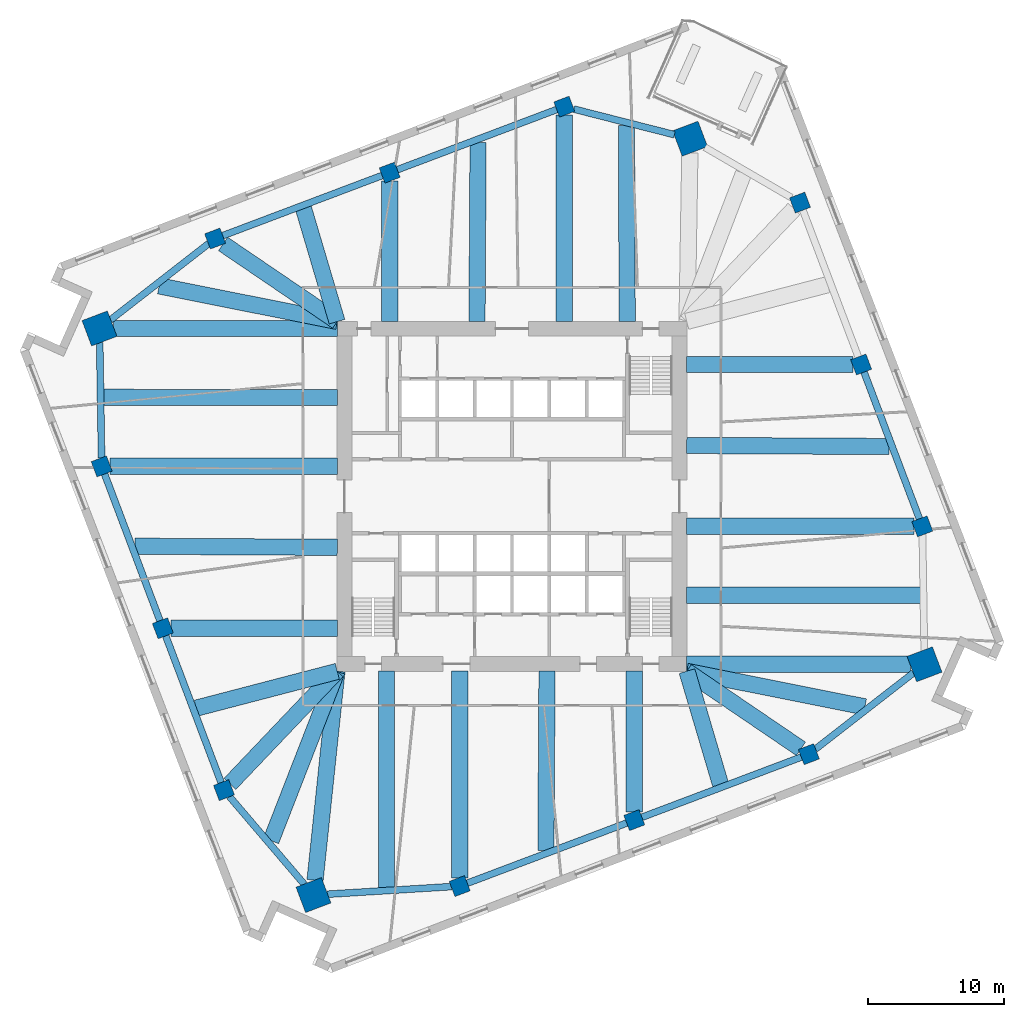
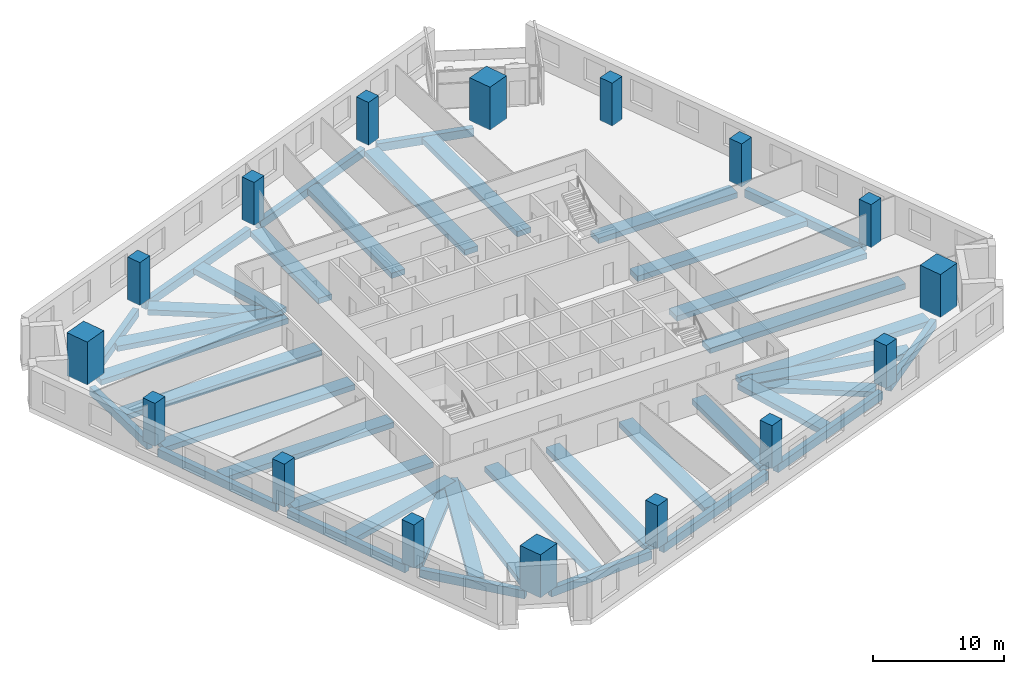
# One storey, part 1 of 14: 41 beams, 16 columns.
"""IFC4 building model written with IfcOpenShell, lengths in metres."""

from ifc_helpers import new_model, si_unit, direction, frame, origin, origin_2d, place, context, subcontext, project, spatial, rectangle, extrude, material, material_profile, profile_set, type_object, element, save


model = new_model("IFC4")

# Units and contexts
model_context = context("Model", 3, precision=1e-05, world=origin(), true_north=direction((0.0, 1.0)))
body_context = subcontext(model_context, "Body", "Model", "MODEL_VIEW")
ifc_project = project(units=[si_unit("LENGTHUNIT", "METRE"), si_unit("AREAUNIT", "SQUARE_METRE"), si_unit("VOLUMEUNIT", "CUBIC_METRE"), si_unit("PLANEANGLEUNIT", "RADIAN"), si_unit("MASSUNIT", "GRAM", prefix="KILO")], contexts=[model_context])

# Site, building, storey
site_placement = place(None, origin())
site = spatial("IfcSite", under=ifc_project, at=site_placement, CompositionType="ELEMENT")
building_placement = place(site_placement, origin())
building = spatial("IfcBuilding", under=site, at=building_placement, Name="Dilmun Exchange Tower", CompositionType="ELEMENT")
storey_placement = place(building_placement, frame((0.0, 0.0, 106.10009765625)))
storey = spatial("IfcBuildingStorey", under=building, at=storey_placement, Name="L24", CompositionType="ELEMENT", Elevation=106.10009765625)

# Columns
ifc_material_1 = material(Name="Concrete C70/85", Category="concrete")
ifc_material_profile_1 = material_profile(ifc_material_1, rectangle(XDim=2.0, YDim=2.0, at=origin_2d()), Name="2000 x 2000")
ifc_profile_set_1 = profile_set([ifc_material_profile_1], Name="Concrete C70/85")
column_type_1 = type_object("IfcColumnType", Name="RC mega column 2000 x 2000 C70/85", PredefinedType="COLUMN", material=ifc_profile_set_1)
for number, where, z_axis, x_axis, name in (
    (1, (13.1220703125, 26.35400390625, 0.0), (0.0, 0.0, 1.0), (0.935491525991, 0.353349125935, 0.0), "Mega column M1"),
    (2, (-30.39404296875, 12.37109375, 0.0), (0.0, 0.0, 1.0), (0.935491525991, 0.353349125935, 0.0), "Mega column M2"),
    (3, (-14.6259765625, -29.3759765625, 0.0), (0.0, 0.0, 1.0), (0.935491525991, 0.353349125935, 0.0), "Mega column M3"),
    (4, (30.39404296875, -12.37109375, 0.0), (0.0, 0.0, 1.0), (0.935491525991, 0.353349125935, 0.0), "Mega column M4"),
):
    element("IfcColumn", number, at=place(storey_placement, frame(where, z_axis=z_axis, x_axis=x_axis)), inside=storey, type_object=column_type_1, Name=name, PredefinedType="COLUMN", context=body_context, shape_type="SweptSolid", body=[
        extrude(rectangle(XDim=2.0, YDim=2.0, at=origin_2d()), origin(), (0.0, 0.0, 1.0), 4.0),
    ])
ifc_material_profile_2 = material_profile(ifc_material_1, rectangle(XDim=1.199951171875, YDim=1.199951171875, at=origin_2d()), Name="1200 x 1200")
ifc_profile_set_2 = profile_set([ifc_material_profile_2], Name="Concrete C70/85")
column_type_2 = type_object("IfcColumnType", Name="RC ring column 1200 x 1200 C70/85", PredefinedType="COLUMN", material=ifc_profile_set_2)
for number, where, z_axis, x_axis, name in (
    (5, (3.85302734375, 28.714111328125, 0.0), (0.0, 0.0, 1.0), (0.935491525991, 0.353349125935, 0.0), "Ring column R01"),
    (6, (-9.010009765625, 23.85498046875, 0.0), (0.0, 0.0, 1.0), (0.935491525991, 0.353349125935, 0.0), "Ring column R02"),
    (7, (-21.873046875, 18.99609375, 0.0), (0.0, 0.0, 1.0), (0.935491525991, 0.353349125935, 0.0), "Ring column R03"),
    (8, (-30.23095703125, 2.2099609375, 0.0), (0.0, 0.0, 1.0), (0.935491525991, 0.353349125935, 0.0), "Ring column R04"),
    (9, (-25.72607421875, -9.717041015625, 0.0), (0.0, 0.0, 1.0), (0.935491525991, 0.353349125935, 0.0), "Ring column R05"),
    (10, (-21.220947265625, -21.64501953125, 0.0), (0.0, 0.0, 1.0), (0.935491525991, 0.353349125935, 0.0), "Ring column R06"),
    (11, (-3.85302734375, -28.714111328125, 0.0), (0.0, 0.0, 1.0), (0.935491525991, 0.353349125935, 0.0), "Ring column R07"),
    (12, (9.010009765625, -23.85498046875, 0.0), (0.0, 0.0, 1.0), (0.935491525991, 0.353349125935, 0.0), "Ring column R08"),
    (13, (21.873046875, -18.99609375, 0.0), (0.0, 0.0, 1.0), (0.935491525991, 0.353349125935, 0.0), "Ring column R09"),
    (14, (30.23095703125, -2.2099609375, 0.0), (0.0, 0.0, 1.0), (0.935491525991, 0.353349125935, 0.0), "Ring column R10"),
    (15, (25.72607421875, 9.717041015625, 0.0), (0.0, 0.0, 1.0), (0.935491525991, 0.353349125935, 0.0), "Ring column R11"),
    (16, (21.220947265625, 21.64501953125, 0.0), (0.0, 0.0, 1.0), (0.935491525991, 0.353349125935, 0.0), "Ring column R12"),
):
    element("IfcColumn", number, at=place(storey_placement, frame(where, z_axis=z_axis, x_axis=x_axis)), inside=storey, type_object=column_type_2, Name=name, PredefinedType="COLUMN", context=body_context, shape_type="SweptSolid", body=[
        extrude(rectangle(XDim=1.199951171875, YDim=1.199951171875, at=origin_2d()), origin(), (0.0, 0.0, 1.0), 4.0),
    ])

# Beams
ifc_material_2 = material(Name="Concrete C40/50", Category="concrete")
ifc_material_profile_3 = material_profile(ifc_material_2, rectangle(XDim=1.199951171875, YDim=0.5, at=origin_2d()), Name="1200 x 500")
ifc_profile_set_3 = profile_set([ifc_material_profile_3], Name="Concrete C40/50")
beam_type_1 = type_object("IfcBeamType", Name="RC band beam 1200 x 500 C40/50", PredefinedType="BEAM", material=ifc_profile_set_3)
beam_1_placement = place(storey_placement, frame((3.85302734375, 28.099609375, -0.77001953125), z_axis=(0.0, -1.0, 0.0), x_axis=(1.0, 0.0, 0.0)))
element("IfcBeam", 17, at=beam_1_placement, inside=storey, type_object=beam_type_1, Name="Band beam 2", PredefinedType="BEAM", context=body_context, shape_type="SweptSolid", body=[
    extrude(rectangle(XDim=1.199951171875, YDim=0.5, at=origin_2d()), origin(), (0.0, 0.0, 1.0), 15.2265625),
])
beam_2_placement = place(storey_placement, frame((-9.010009765625, 23.240478515625, -0.77001953125), z_axis=(0.0, -1.0, 0.0), x_axis=(1.0, 0.0, 0.0)))
element("IfcBeam", 18, at=beam_2_placement, inside=storey, type_object=beam_type_1, Name="Band beam 3", PredefinedType="BEAM", context=body_context, shape_type="SweptSolid", body=[
    extrude(rectangle(XDim=1.199951171875, YDim=0.5, at=origin_2d()), origin(), (0.0, 0.0, 1.0), 10.367431640625),
])
beam_3_placement = place(storey_placement, frame((-21.28857421875, 18.59912109375, -0.77001953125), z_axis=(0.827157308771, -0.561970449888, 0.0), x_axis=(0.561970449888, 0.827157308771, 0.0)))
element("IfcBeam", 19, at=beam_3_placement, inside=storey, type_object=beam_type_1, Name="Band beam 4", PredefinedType="BEAM", context=body_context, shape_type="SweptSolid", body=[
    extrude(rectangle(XDim=1.199951171875, YDim=0.5, at=origin_2d()), origin(), (0.0, 0.0, 1.0), 10.16845703125),
])
beam_4_placement = place(storey_placement, frame((-29.35205078125, 12.37109375, -0.77001953125), z_axis=(1.0, 0.0, 0.0), x_axis=(0.0, 1.0, 0.0)))
element("IfcBeam", 20, at=beam_4_placement, inside=storey, type_object=beam_type_1, Name="Band beam 5", PredefinedType="BEAM", context=body_context, shape_type="SweptSolid", body=[
    extrude(rectangle(XDim=1.199951171875, YDim=0.5, at=origin_2d()), origin(), (0.0, 0.0, 1.0), 16.47900390625),
])
beam_5_placement = place(storey_placement, frame((-29.61669921875, 2.2099609375, -0.77001953125), z_axis=(1.0, 0.0, 0.0), x_axis=(0.0, 1.0, 0.0)))
element("IfcBeam", 21, at=beam_5_placement, inside=storey, type_object=beam_type_1, Name="Band beam 6", PredefinedType="BEAM", context=body_context, shape_type="SweptSolid", body=[
    extrude(rectangle(XDim=1.199951171875, YDim=0.5, at=origin_2d()), origin(), (0.0, 0.0, 1.0), 16.74365234375),
])
beam_6_placement = place(storey_placement, frame((-25.111572265625, -9.717041015625, -0.77001953125), z_axis=(1.0, 0.0, 0.0), x_axis=(0.0, 1.0, 0.0)))
element("IfcBeam", 22, at=beam_6_placement, inside=storey, type_object=beam_type_1, Name="Band beam 7", PredefinedType="BEAM", context=body_context, shape_type="SweptSolid", body=[
    extrude(rectangle(XDim=1.199951171875, YDim=0.5, at=origin_2d()), origin(), (0.0, 0.0, 1.0), 12.238525390625),
])
beam_7_placement = place(storey_placement, frame((-20.780517578125, -21.181884765625, -0.77001953125), z_axis=(0.689333244672, 0.724444392476, 0.0), x_axis=(-0.724444392476, 0.689333244672, 0.0)))
element("IfcBeam", 23, at=beam_7_placement, inside=storey, type_object=beam_type_1, Name="Band beam 8", PredefinedType="BEAM", context=body_context, shape_type="SweptSolid", body=[
    extrude(rectangle(XDim=1.199951171875, YDim=0.5, at=origin_2d()), origin(), (0.0, 0.0, 1.0), 11.459228515625),
])
beam_8_placement = place(storey_placement, frame((-14.51220703125, -28.289794921875, -0.77001953125), z_axis=(0.104185478447, 0.994557884731, 0.0), x_axis=(-0.994557884731, 0.104185478447, 0.0)))
element("IfcBeam", 24, at=beam_8_placement, inside=storey, type_object=beam_type_1, Name="Band beam 9", PredefinedType="BEAM", context=body_context, shape_type="SweptSolid", body=[
    extrude(rectangle(XDim=1.199951171875, YDim=0.5, at=origin_2d()), origin(), (0.0, 0.0, 1.0), 15.501220703125),
])
beam_9_placement = place(storey_placement, frame((-3.85302734375, -28.099609375, -0.77001953125), z_axis=(0.0, 1.0, 0.0), x_axis=(-1.0, 0.0, 0.0)))
element("IfcBeam", 25, at=beam_9_placement, inside=storey, type_object=beam_type_1, Name="Band beam 10", PredefinedType="BEAM", context=body_context, shape_type="SweptSolid", body=[
    extrude(rectangle(XDim=1.199951171875, YDim=0.5, at=origin_2d()), origin(), (0.0, 0.0, 1.0), 15.2265625),
])
beam_10_placement = place(storey_placement, frame((9.010009765625, -23.240478515625, -0.77001953125), z_axis=(0.0, 1.0, 0.0), x_axis=(-1.0, 0.0, 0.0)))
element("IfcBeam", 26, at=beam_10_placement, inside=storey, type_object=beam_type_1, Name="Band beam 11", PredefinedType="BEAM", context=body_context, shape_type="SweptSolid", body=[
    extrude(rectangle(XDim=1.199951171875, YDim=0.5, at=origin_2d()), origin(), (0.0, 0.0, 1.0), 10.367431640625),
])
beam_11_placement = place(storey_placement, frame((21.28857421875, -18.59912109375, -0.77001953125), z_axis=(-0.827157308771, 0.561970449888, 0.0), x_axis=(-0.561970449888, -0.827157308771, 0.0)))
element("IfcBeam", 27, at=beam_11_placement, inside=storey, type_object=beam_type_1, Name="Band beam 12", PredefinedType="BEAM", context=body_context, shape_type="SweptSolid", body=[
    extrude(rectangle(XDim=1.199951171875, YDim=0.5, at=origin_2d()), origin(), (0.0, 0.0, 1.0), 10.16845703125),
])
beam_12_placement = place(storey_placement, frame((29.35205078125, -12.37109375, -0.77001953125), z_axis=(-1.0, 0.0, 0.0), x_axis=(0.0, -1.0, 0.0)))
element("IfcBeam", 28, at=beam_12_placement, inside=storey, type_object=beam_type_1, Name="Band beam 13", PredefinedType="BEAM", context=body_context, shape_type="SweptSolid", body=[
    extrude(rectangle(XDim=1.199951171875, YDim=0.5, at=origin_2d()), origin(), (0.0, 0.0, 1.0), 16.47900390625),
])
beam_13_placement = place(storey_placement, frame((29.61669921875, -2.2099609375, -0.77001953125), z_axis=(-1.0, 0.0, 0.0), x_axis=(0.0, -1.0, 0.0)))
element("IfcBeam", 29, at=beam_13_placement, inside=storey, type_object=beam_type_1, Name="Band beam 14", PredefinedType="BEAM", context=body_context, shape_type="SweptSolid", body=[
    extrude(rectangle(XDim=1.199951171875, YDim=0.5, at=origin_2d()), origin(), (0.0, 0.0, 1.0), 16.74365234375),
])
beam_14_placement = place(storey_placement, frame((25.111572265625, 9.717041015625, -0.77001953125), z_axis=(-1.0, 0.0, 0.0), x_axis=(0.0, -1.0, 0.0)))
element("IfcBeam", 30, at=beam_14_placement, inside=storey, type_object=beam_type_1, Name="Band beam 15", PredefinedType="BEAM", context=body_context, shape_type="SweptSolid", body=[
    extrude(rectangle(XDim=1.199951171875, YDim=0.5, at=origin_2d()), origin(), (0.0, 0.0, 1.0), 12.238525390625),
])
beam_15_placement = place(storey_placement, frame((8.4326171875, 27.31787109375, -0.670166015625), z_axis=(0.003802832253, -0.999992769207, 0.0), x_axis=(0.999992769207, 0.003802832253, 0.0)))
element("IfcBeam", 31, at=beam_15_placement, inside=storey, type_object=beam_type_1, Name="Band beam 17", PredefinedType="BEAM", context=body_context, shape_type="SweptSolid", body=[
    extrude(rectangle(XDim=1.199951171875, YDim=0.5, at=origin_2d()), origin(), (0.0, 0.0, 1.0), 14.44482421875),
])
beam_16_placement = place(storey_placement, frame((-2.499755859375, 26.075927734375, -0.670166015625), z_axis=(-0.005972637047, -0.999982163644, 0.0), x_axis=(0.999982163644, -0.005972637047, 0.0)))
element("IfcBeam", 32, at=beam_16_placement, inside=storey, type_object=beam_type_1, Name="Band beam 18", PredefinedType="BEAM", context=body_context, shape_type="SweptSolid", body=[
    extrude(rectangle(XDim=1.199951171875, YDim=0.5, at=origin_2d()), origin(), (0.0, 0.0, 1.0), 13.203125),
])
beam_17_placement = place(storey_placement, frame((-15.36279296875, 21.216796875, -0.670166015625), z_axis=(0.283932601838, -0.958844240538, 0.0), x_axis=(0.958844240538, 0.283932601838, 0.0)))
element("IfcBeam", 33, at=beam_17_placement, inside=storey, type_object=beam_type_1, Name="Band beam 19", PredefinedType="BEAM", context=body_context, shape_type="SweptSolid", body=[
    extrude(rectangle(XDim=1.199951171875, YDim=0.5, at=origin_2d()), origin(), (0.0, 0.0, 1.0), 8.700927734375),
])
beam_18_placement = place(storey_placement, frame((-25.99658203125, 15.50732421875, -0.670166015625), z_axis=(0.980746640289, -0.19528447855, 0.0), x_axis=(0.19528447855, 0.980746640289, 0.0)))
element("IfcBeam", 34, at=beam_18_placement, inside=storey, type_object=beam_type_1, Name="Band beam 20", PredefinedType="BEAM", context=body_context, shape_type="SweptSolid", body=[
    extrude(rectangle(XDim=1.199951171875, YDim=0.5, at=origin_2d()), origin(), (0.0, 0.0, 1.0), 13.380615234375),
])
beam_19_placement = place(storey_placement, frame((-30.089599609375, 7.294189453125, -0.670166015625), z_axis=(0.999999977378, -0.000212708627, 0.0), x_axis=(0.000212708627, 0.999999977378, 0.0)))
element("IfcBeam", 35, at=beam_19_placement, inside=storey, type_object=beam_type_1, Name="Band beam 21", PredefinedType="BEAM", context=body_context, shape_type="SweptSolid", body=[
    extrude(rectangle(XDim=1.199951171875, YDim=0.5, at=origin_2d()), origin(), (0.0, 0.0, 1.0), 17.216552734375),
])
beam_20_placement = place(storey_placement, frame((-27.77001953125, -3.6748046875, -0.670166015625), z_axis=(0.999986076233, -0.005277057861, 0.0), x_axis=(0.005277057861, 0.999986076233, 0.0)))
element("IfcBeam", 36, at=beam_20_placement, inside=storey, type_object=beam_type_1, Name="Band beam 22", PredefinedType="BEAM", context=body_context, shape_type="SweptSolid", body=[
    extrude(rectangle(XDim=1.199951171875, YDim=0.5, at=origin_2d()), origin(), (0.0, 0.0, 1.0), 14.897216796875),
])
beam_21_placement = place(storey_placement, frame((-23.264892578125, -15.602294921875, -0.670166015625), z_axis=(0.967651305888, 0.252291399404, 0.0), x_axis=(-0.252291399404, 0.967651305888, 0.0)))
element("IfcBeam", 37, at=beam_21_placement, inside=storey, type_object=beam_type_1, Name="Band beam 23", PredefinedType="BEAM", context=body_context, shape_type="SweptSolid", body=[
    extrude(rectangle(XDim=1.199951171875, YDim=0.5, at=origin_2d()), origin(), (0.0, 0.0, 1.0), 10.738525390625),
])
beam_22_placement = place(storey_placement, frame((-17.75390625, -25.36572265625, -0.670166015625), z_axis=(0.362868113779, 0.931840507814, 0.0), x_axis=(-0.931840507814, 0.362868113779, 0.0)))
element("IfcBeam", 38, at=beam_22_placement, inside=storey, type_object=beam_type_1, Name="Band beam 24", PredefinedType="BEAM", context=body_context, shape_type="SweptSolid", body=[
    extrude(rectangle(XDim=1.199951171875, YDim=0.5, at=origin_2d()), origin(), (0.0, 0.0, 1.0), 13.404296875),
])
beam_23_placement = place(storey_placement, frame((-9.253173828125, -28.822509765625, -0.670166015625), z_axis=(0.000857199397, 0.999999632605, 0.0), x_axis=(-0.999999632605, 0.000857199397, 0.0)))
element("IfcBeam", 39, at=beam_23_placement, inside=storey, type_object=beam_type_1, Name="Band beam 25", PredefinedType="BEAM", context=body_context, shape_type="SweptSolid", body=[
    extrude(rectangle(XDim=1.199951171875, YDim=0.5, at=origin_2d()), origin(), (0.0, 0.0, 1.0), 15.949462890625),
])
beam_24_placement = place(storey_placement, frame((2.499755859375, -26.075927734375, -0.670166015625), z_axis=(0.005972637047, 0.999982163644, 0.0), x_axis=(-0.999982163644, 0.005972637047, 0.0)))
element("IfcBeam", 40, at=beam_24_placement, inside=storey, type_object=beam_type_1, Name="Band beam 26", PredefinedType="BEAM", context=body_context, shape_type="SweptSolid", body=[
    extrude(rectangle(XDim=1.199951171875, YDim=0.5, at=origin_2d()), origin(), (0.0, 0.0, 1.0), 13.203125),
])
beam_25_placement = place(storey_placement, frame((15.36279296875, -21.216796875, -0.670166015625), z_axis=(-0.283932601838, 0.958844240538, 0.0), x_axis=(-0.958844240538, -0.283932601838, 0.0)))
element("IfcBeam", 41, at=beam_25_placement, inside=storey, type_object=beam_type_1, Name="Band beam 27", PredefinedType="BEAM", context=body_context, shape_type="SweptSolid", body=[
    extrude(rectangle(XDim=1.199951171875, YDim=0.5, at=origin_2d()), origin(), (0.0, 0.0, 1.0), 8.700927734375),
])
beam_26_placement = place(storey_placement, frame((25.99658203125, -15.50732421875, -0.670166015625), z_axis=(-0.980746640289, 0.19528447855, 0.0), x_axis=(-0.19528447855, -0.980746640289, 0.0)))
element("IfcBeam", 42, at=beam_26_placement, inside=storey, type_object=beam_type_1, Name="Band beam 28", PredefinedType="BEAM", context=body_context, shape_type="SweptSolid", body=[
    extrude(rectangle(XDim=1.199951171875, YDim=0.5, at=origin_2d()), origin(), (0.0, 0.0, 1.0), 13.380615234375),
])
beam_27_placement = place(storey_placement, frame((30.089599609375, -7.294189453125, -0.670166015625), z_axis=(-0.999999977378, 0.000212708627, 0.0), x_axis=(-0.000212708627, -0.999999977378, 0.0)))
element("IfcBeam", 43, at=beam_27_placement, inside=storey, type_object=beam_type_1, Name="Band beam 29", PredefinedType="BEAM", context=body_context, shape_type="SweptSolid", body=[
    extrude(rectangle(XDim=1.199951171875, YDim=0.5, at=origin_2d()), origin(), (0.0, 0.0, 1.0), 17.216552734375),
])
beam_28_placement = place(storey_placement, frame((27.77001953125, 3.6748046875, -0.670166015625), z_axis=(-0.999986076233, 0.005277057861, 0.0), x_axis=(-0.005277057861, -0.999986076233, 0.0)))
element("IfcBeam", 44, at=beam_28_placement, inside=storey, type_object=beam_type_1, Name="Band beam 30", PredefinedType="BEAM", context=body_context, shape_type="SweptSolid", body=[
    extrude(rectangle(XDim=1.199951171875, YDim=0.5, at=origin_2d()), origin(), (0.0, 0.0, 1.0), 14.897216796875),
])
ifc_material_profile_4 = material_profile(ifc_material_2, rectangle(XDim=0.5, YDim=0.75, at=origin_2d()), Name="500 x 750")
ifc_profile_set_4 = profile_set([ifc_material_profile_4], Name="Concrete C40/50")
beam_type_2 = type_object("IfcBeamType", Name="RC ring beam 500 x 750 C40/50", PredefinedType="SPANDREL", material=ifc_profile_set_4)
beam_29_placement = place(storey_placement, frame((11.965576171875, 26.6484375, -0.795166015625), z_axis=(-0.969078622485, 0.246752149825, 0.0), x_axis=(-0.246752149825, -0.969078622485, 0.0)))
element("IfcBeam", 45, at=beam_29_placement, inside=storey, type_object=beam_type_2, Name="Ring beam 1", PredefinedType="SPANDREL", context=body_context, shape_type="SweptSolid", body=[
    extrude(rectangle(XDim=0.5, YDim=0.75, at=origin_2d()), origin(), (0.0, 0.0, 1.0), 7.666015625),
])
for number, where, z_axis, x_axis, name in (
    (46, (3.31689453125, 28.511474609375, -0.795166015625), (-0.935485896268, -0.353364030264, 0.0), (0.353364030264, -0.935485896268, 0.0), "Ring beam 2"),
    (47, (-9.5458984375, 23.652587890625, -0.795166015625), (-0.935479493126, -0.353380981294, 0.0), (0.353380981294, -0.935479493126, 0.0), "Ring beam 3"),
):
    element("IfcBeam", number, at=place(storey_placement, frame(where, z_axis=z_axis, x_axis=x_axis)), inside=storey, type_object=beam_type_2, Name=name, PredefinedType="SPANDREL", context=body_context, shape_type="SweptSolid", body=[
        extrude(rectangle(XDim=0.5, YDim=0.75, at=origin_2d()), origin(), (0.0, 0.0, 1.0), 12.604248046875),
    ])
beam_30_placement = place(storey_placement, frame((-22.347412109375, 18.627197265625, -0.795166015625), z_axis=(-0.789461122688, -0.613800566767, 0.0), x_axis=(0.613800566767, -0.789461122688, 0.0)))
element("IfcBeam", 48, at=beam_30_placement, inside=storey, type_object=beam_type_2, Name="Ring beam 4", PredefinedType="SPANDREL", context=body_context, shape_type="SweptSolid", body=[
    extrude(rectangle(XDim=0.5, YDim=0.75, at=origin_2d()), origin(), (0.0, 0.0, 1.0), 9.1728515625),
])
beam_31_placement = place(storey_placement, frame((-30.37744140625, 11.33544921875, -0.795166015625), z_axis=(0.016054357527, -0.999871120497, 0.0), x_axis=(0.999871120497, 0.016054357527, 0.0)))
element("IfcBeam", 49, at=beam_31_placement, inside=storey, type_object=beam_type_2, Name="Ring beam 5", PredefinedType="SPANDREL", context=body_context, shape_type="SweptSolid", body=[
    extrude(rectangle(XDim=0.5, YDim=0.75, at=origin_2d()), origin(), (0.0, 0.0, 1.0), 8.515869140625),
])
beam_32_placement = place(storey_placement, frame((-30.028564453125, 1.674072265625, -0.795166015625), z_axis=(0.353349831573, -0.935491259461, 0.0), x_axis=(0.935491259461, 0.353349831573, 0.0)))
element("IfcBeam", 50, at=beam_32_placement, inside=storey, type_object=beam_type_2, Name="Ring beam 6", PredefinedType="SPANDREL", context=body_context, shape_type="SweptSolid", body=[
    extrude(rectangle(XDim=0.5, YDim=0.75, at=origin_2d()), origin(), (0.0, 0.0, 1.0), 11.603515625),
])
beam_33_placement = place(storey_placement, frame((-25.5234375, -10.2529296875, -0.795166015625), z_axis=(0.353303601311, -0.935508720056, 0.0), x_axis=(0.935508720056, 0.353303601311, 0.0)))
element("IfcBeam", 51, at=beam_33_placement, inside=storey, type_object=beam_type_2, Name="Ring beam 7", PredefinedType="SPANDREL", context=body_context, shape_type="SweptSolid", body=[
    extrude(rectangle(XDim=0.5, YDim=0.75, at=origin_2d()), origin(), (0.0, 0.0, 1.0), 11.604248046875),
])
beam_34_placement = place(storey_placement, frame((-20.82470703125, -22.109619140625, -0.795166015625), z_axis=(0.64900225023, -0.76078648726, 0.0), x_axis=(0.76078648726, 0.64900225023, 0.0)))
element("IfcBeam", 52, at=beam_34_placement, inside=storey, type_object=beam_type_2, Name="Ring beam 8", PredefinedType="SPANDREL", context=body_context, shape_type="SweptSolid", body=[
    extrude(rectangle(XDim=0.5, YDim=0.75, at=origin_2d()), origin(), (0.0, 0.0, 1.0), 8.515625),
])
beam_35_placement = place(storey_placement, frame((-13.608154296875, -29.3134765625, -0.795166015625), z_axis=(0.998117890072, 0.061324363166, 0.0), x_axis=(-0.061324363166, 0.998117890072, 0.0)))
element("IfcBeam", 53, at=beam_35_placement, inside=storey, type_object=beam_type_2, Name="Ring beam 9", PredefinedType="SPANDREL", context=body_context, shape_type="SweptSolid", body=[
    extrude(rectangle(XDim=0.5, YDim=0.75, at=origin_2d()), origin(), (0.0, 0.0, 1.0), 9.172607421875),
])
for number, where, z_axis, x_axis, name in (
    (54, (-3.31689453125, -28.511474609375, -0.795166015625), (0.935485896268, 0.353364030264, 0.0), (-0.353364030264, 0.935485896268, 0.0), "Ring beam 10"),
    (55, (9.5458984375, -23.652587890625, -0.795166015625), (0.935479493126, 0.353380981294, 0.0), (-0.353380981294, 0.935479493126, 0.0), "Ring beam 11"),
):
    element("IfcBeam", number, at=place(storey_placement, frame(where, z_axis=z_axis, x_axis=x_axis)), inside=storey, type_object=beam_type_2, Name=name, PredefinedType="SPANDREL", context=body_context, shape_type="SweptSolid", body=[
        extrude(rectangle(XDim=0.5, YDim=0.75, at=origin_2d()), origin(), (0.0, 0.0, 1.0), 12.604248046875),
    ])
beam_36_placement = place(storey_placement, frame((22.347412109375, -18.627197265625, -0.795166015625), z_axis=(0.789461122688, 0.613800566767, 0.0), x_axis=(-0.613800566767, 0.789461122688, 0.0)))
element("IfcBeam", 56, at=beam_36_placement, inside=storey, type_object=beam_type_2, Name="Ring beam 12", PredefinedType="SPANDREL", context=body_context, shape_type="SweptSolid", body=[
    extrude(rectangle(XDim=0.5, YDim=0.75, at=origin_2d()), origin(), (0.0, 0.0, 1.0), 9.1728515625),
])
beam_37_placement = place(storey_placement, frame((30.028564453125, -1.674072265625, -0.795166015625), z_axis=(-0.353349831573, 0.935491259461, 0.0), x_axis=(-0.935491259461, -0.353349831573, 0.0)))
element("IfcBeam", 57, at=beam_37_placement, inside=storey, type_object=beam_type_2, Name="Ring beam 14", PredefinedType="SPANDREL", context=body_context, shape_type="SweptSolid", body=[
    extrude(rectangle(XDim=0.5, YDim=0.75, at=origin_2d()), origin(), (0.0, 0.0, 1.0), 11.603515625),
])

save(model, "model.ifc")
